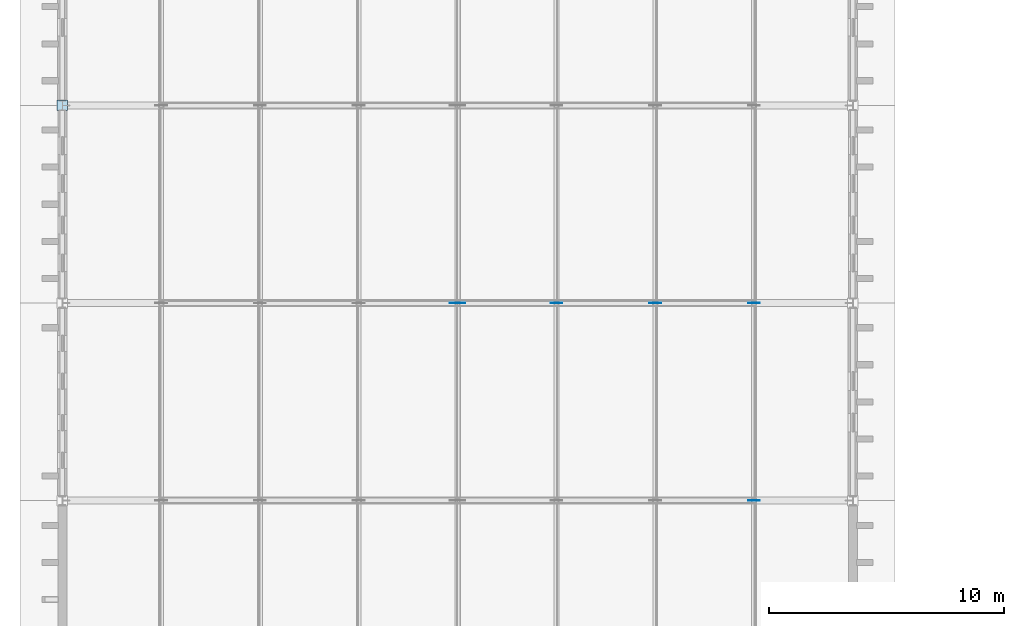
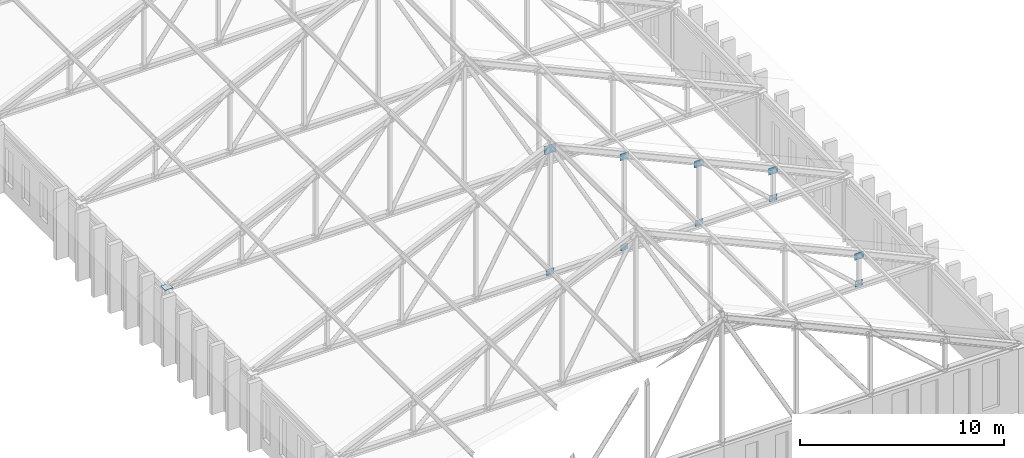
# One storey, part 67 of 110: 11 plates.
"""IFC4 building model written with IfcOpenShell, lengths in metres."""

from ifc_helpers import new_model, si_unit, direction, frame, origin, origin_2d, place, context, subcontext, project, spatial, rectangle, extrude, material, layer, layer_set, type_object, element, save


model = new_model("IFC4")

# Units and contexts
model_context = context("Model", 3, precision=1e-05, world=origin(), true_north=direction((0.0, 1.0)))
body_context = subcontext(model_context, "Body", "Model", "MODEL_VIEW")
ifc_project = project(units=[si_unit("LENGTHUNIT", "METRE"), si_unit("AREAUNIT", "SQUARE_METRE"), si_unit("VOLUMEUNIT", "CUBIC_METRE"), si_unit("PLANEANGLEUNIT", "RADIAN"), si_unit("MASSUNIT", "GRAM", prefix="KILO")], contexts=[model_context])

# Site, building, storey
site_placement = place(None, origin())
site = spatial("IfcSite", under=ifc_project, at=site_placement, CompositionType="ELEMENT")
building_placement = place(site_placement, origin())
building = spatial("IfcBuilding", under=site, at=building_placement, Name="Kveldsbrygga Polytechnic", CompositionType="ELEMENT")
storey_placement = place(building_placement, frame((0.0, 0.0, 9.860107421875)))
storey = spatial("IfcBuildingStorey", under=building, at=storey_placement, Name="L02", CompositionType="ELEMENT", Elevation=9.860107421875)

# Plates
ifc_material = material(Name="Steel S355", Category="steel")
ifc_layer_1 = layer(ifc_material, 0.030029296875)
ifc_layer_set_1 = layer_set([ifc_layer_1], Name="Steel S355")
plate_type_1 = type_object("IfcPlateType", Name="CAP-BEAR-450", PredefinedType="SHEET", material=ifc_layer_set_1)
plate_1_placement = place(storey_placement, frame((0.0, 50.39990234375, 3.75), z_axis=(0.0, 0.0, 1.0), x_axis=(1.0, 0.0, 0.0)))
element("IfcPlate", 1, at=plate_1_placement, inside=storey, type_object=plate_type_1, Name="Truss Bearing Plate V1W-T04-A", PredefinedType="SHEET", context=body_context, shape_type="SweptSolid", body=[
    extrude(rectangle(XDim=0.449951171875, YDim=0.449951171875, at=origin_2d()), origin(), (0.0, 0.0, 1.0), 0.030029296875),
])
ifc_layer_2 = layer(ifc_material, 0.02490234375)
ifc_layer_set_2 = layer_set([ifc_layer_2], Name="Steel S355")
plate_type_2 = type_object("IfcPlateType", Name="GUS-APEX-650", PredefinedType="SHEET", material=ifc_layer_set_2)
plate_2_placement = place(storey_placement, frame((16.800048828125, 42.0, 10.97998046875), z_axis=(0.0, 0.0, 1.0), x_axis=(1.0, 0.0, 0.0)))
element("IfcPlate", 2, at=plate_2_placement, inside=storey, type_object=plate_type_2, Name="Truss Gusset Plate V1W-T03-GP-4", PredefinedType="SHEET", context=body_context, shape_type="SweptSolid", body=[
    extrude(rectangle(XDim=0.64990234375, YDim=0.02490234375, at=origin_2d()), origin(), (0.0, 0.0, 1.0), 0.5),
])
ifc_layer_3 = layer(ifc_material, 0.02001953125)
ifc_layer_set_3 = layer_set([ifc_layer_3], Name="Steel S355")
plate_type_3 = type_object("IfcPlateType", Name="GUS-LECT-420", PredefinedType="SHEET", material=ifc_layer_set_3)
for number, where, z_axis, x_axis, name in (
    (3, (29.39990234375, 33.60009765625, 3.724853515625), (0.0, 0.0, 1.0), (1.0, 0.0, 0.0), "Truss Bottom-Chord Node Gusset V1W-T02-BGP-7"),
    (4, (16.800048828125, 42.0, 3.724853515625), (0.0, 0.0, 1.0), (1.0, 0.0, 0.0), "Truss Bottom-Chord Node Gusset V1W-T03-BGP-4"),
    (5, (21.0, 42.0, 3.724853515625), (0.0, 0.0, 1.0), (1.0, 0.0, 0.0), "Truss Bottom-Chord Node Gusset V1W-T03-BGP-5"),
    (6, (25.199951171875, 42.0, 3.724853515625), (0.0, 0.0, 1.0), (1.0, 0.0, 0.0), "Truss Bottom-Chord Node Gusset V1W-T03-BGP-6"),
    (7, (29.39990234375, 42.0, 3.724853515625), (0.0, 0.0, 1.0), (1.0, 0.0, 0.0), "Truss Bottom-Chord Node Gusset V1W-T03-BGP-7"),
):
    element("IfcPlate", number, at=place(storey_placement, frame(where, z_axis=z_axis, x_axis=x_axis)), inside=storey, type_object=plate_type_3, Name=name, PredefinedType="SHEET", context=body_context, shape_type="SweptSolid", body=[
        extrude(rectangle(XDim=0.419921875, YDim=0.02001953125, at=origin_2d()), origin(), (0.0, 0.0, 1.0), 0.35009765625),
    ])
ifc_layer_4 = layer(ifc_material, 0.02197265625)
ifc_layer_set_4 = layer_set([ifc_layer_4], Name="Steel S355")
plate_type_4 = type_object("IfcPlateType", Name="GUS-NODE-500", PredefinedType="SHEET", material=ifc_layer_set_4)
for number, where, z_axis, x_axis, name in (
    (8, (29.39990234375, 33.60009765625, 5.329833984375), (0.0, 0.0, 1.0), (1.0, 0.0, 0.0), "Truss Gusset Plate V1W-T02-GP-7"),
    (9, (21.0, 42.0, 9.1298828125), (0.0, 0.0, 1.0), (1.0, 0.0, 0.0), "Truss Gusset Plate V1W-T03-GP-5"),
    (10, (25.199951171875, 42.0, 7.22998046875), (0.0, 0.0, 1.0), (1.0, 0.0, 0.0), "Truss Gusset Plate V1W-T03-GP-6"),
    (11, (29.39990234375, 42.0, 5.329833984375), (0.0, 0.0, 1.0), (1.0, 0.0, 0.0), "Truss Gusset Plate V1W-T03-GP-7"),
):
    element("IfcPlate", number, at=place(storey_placement, frame(where, z_axis=z_axis, x_axis=x_axis)), inside=storey, type_object=plate_type_4, Name=name, PredefinedType="SHEET", context=body_context, shape_type="SweptSolid", body=[
        extrude(rectangle(XDim=0.5, YDim=0.02197265625, at=origin_2d()), origin(), (0.0, 0.0, 1.0), 0.39990234375),
    ])

save(model, "model.ifc")
